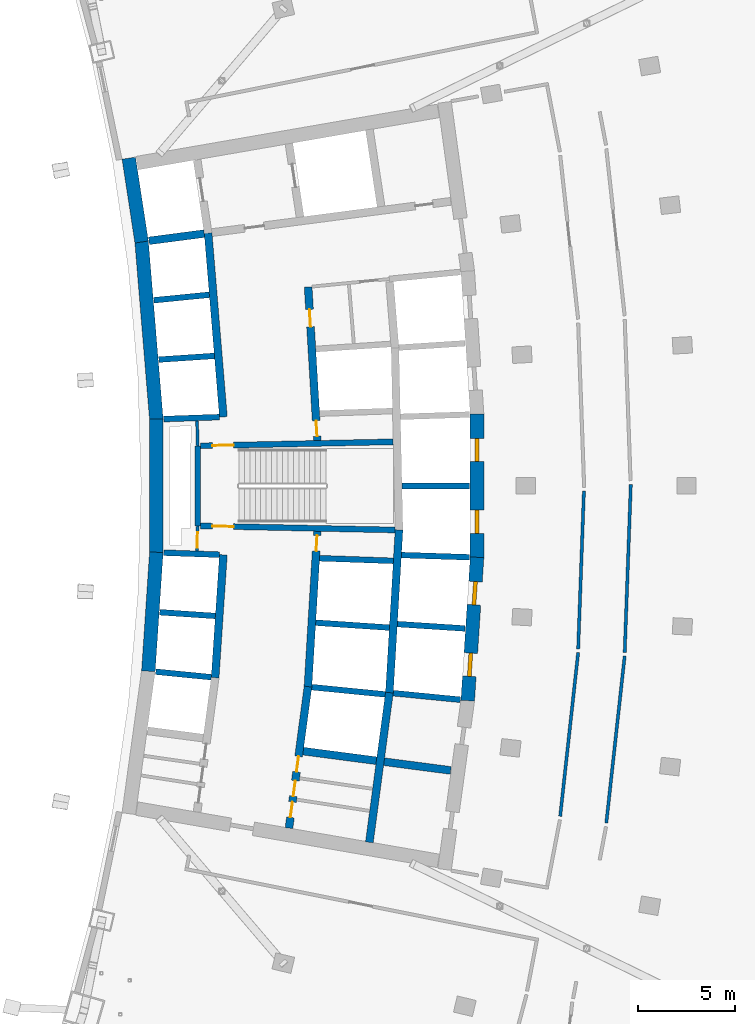
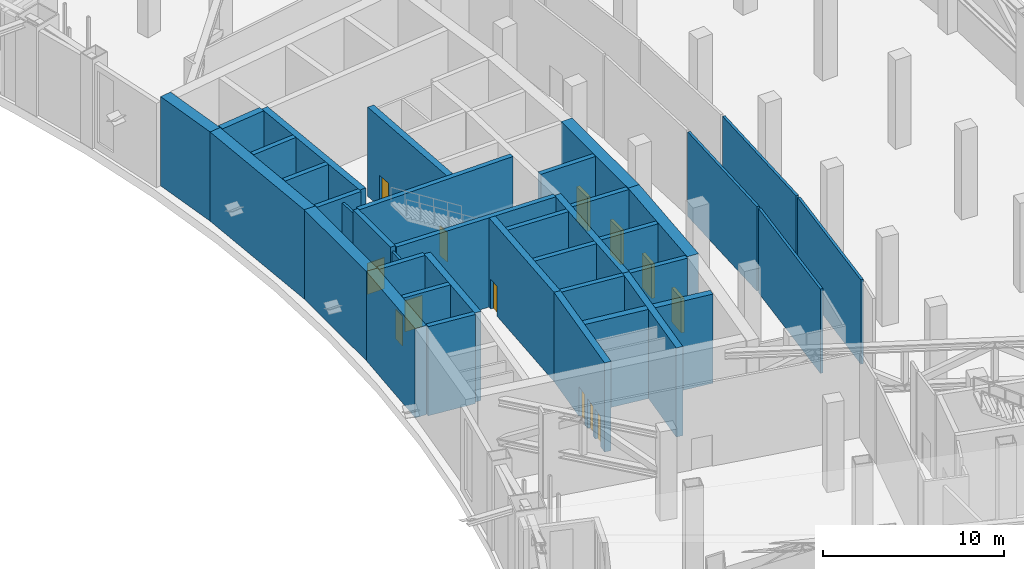
# One storey, part 17 of 26: 38 walls, 13 doors, 13 openings.
"""IFC4 building model written with IfcOpenShell, lengths in metres."""

import ifcopenshell
import ifcopenshell.guid

model = None  # the IFC model being written
_history = None  # IfcOwnerHistory: only IFC2X3 demands one
_inside = {}  # id of a spatial element -> (the spatial element, [elements in it])
_under = {}  # id of a project, library or spatial element -> (it, [spatial elements below it])
_declared = {}  # id of a project -> (the project, [libraries it declares])
_typed = {}  # id of a type object -> (the type object, [elements of that type])
_made_of = {}  # id of a material, layer set ... -> (it, [elements and type objects made of it])


def new_model(schema):
    """Start an empty IFC model of exactly this schema.

    Asked for "IFC4X3", IfcOpenShell would pick the latest addendum, in which some entities
    have other attributes; the version numbers below select the first issue.
    IFC2X3 requires an IfcOwnerHistory on every rooted entity: one is made here for all.
    """
    global model, _history
    if schema == "IFC4X3":
        model = ifcopenshell.file(schema_version=(4, 3, 0, 0))
    else:
        model = ifcopenshell.file(schema=schema)
    _inside.clear()
    _under.clear()
    _declared.clear()
    _typed.clear()
    _made_of.clear()
    _history = None
    if model.schema == "IFC2X3":
        org = make("IfcOrganization", Name="unknown")
        user = make(
            "IfcPersonAndOrganization",
            ThePerson=make("IfcPerson", FamilyName="unknown"),
            TheOrganization=org,
        )
        app = make(
            "IfcApplication",
            ApplicationDeveloper=org,
            Version="unknown",
            ApplicationFullName="unknown",
            ApplicationIdentifier="unknown",
        )
        _history = make(
            "IfcOwnerHistory",
            OwningUser=user,
            OwningApplication=app,
            ChangeAction="ADDED",
            CreationDate=0,
        )
    return model


def make(cls, **values):
    """One entity of the class cls with the attributes given. An attribute that is None is left unset."""
    return model.create_entity(
        cls, **{name: value for name, value in values.items() if value is not None}
    )


def rooted(cls, **values):
    """An entity with a GlobalId (a new one), such as an element, a storey or a relation."""
    return make(cls, GlobalId=ifcopenshell.guid.new(), OwnerHistory=_history, **values)


def si_unit(unit_type, name, prefix=None):
    """IfcSIUnit, for example si_unit("LENGTHUNIT", "METRE", prefix="MILLI")."""
    return make("IfcSIUnit", UnitType=unit_type, Prefix=prefix, Name=name)


def assignment(units):
    """IfcUnitAssignment: the units of a project."""
    return None if units is None else make("IfcUnitAssignment", Units=units)


def point(xyz):
    """IfcCartesianPoint."""
    return None if xyz is None else make("IfcCartesianPoint", Coordinates=xyz)


def direction(xyz):
    """IfcDirection."""
    return None if xyz is None else make("IfcDirection", DirectionRatios=xyz)


def frame(location, z_axis=None, x_axis=None):
    """IfcAxis2Placement3D, a coordinate frame: its origin and axes. An axis left out is left unset."""
    return make(
        "IfcAxis2Placement3D",
        Location=point(location),
        Axis=direction(z_axis),
        RefDirection=direction(x_axis),
    )


def frame_2d(location, x_axis=None):
    """IfcAxis2Placement2D, a coordinate frame in the plane: its origin and x axis."""
    return make(
        "IfcAxis2Placement2D", Location=point(location), RefDirection=direction(x_axis)
    )


def origin():
    """The frame at (0, 0, 0) with its axes left unset."""
    return frame((0.0, 0.0, 0.0))


def place(relative_to, where):
    """IfcLocalPlacement: puts the frame where relative to a parent placement (None: the world)."""
    return make(
        "IfcLocalPlacement", PlacementRelTo=relative_to, RelativePlacement=where
    )


def context(
    kind, dimensions, precision=None, world=None, true_north=None, identifier=None
):
    """IfcGeometricRepresentationContext, for example the 3D "Model" context."""
    return make(
        "IfcGeometricRepresentationContext",
        ContextIdentifier=identifier,
        ContextType=kind,
        CoordinateSpaceDimension=dimensions,
        Precision=precision,
        WorldCoordinateSystem=world,
        TrueNorth=true_north,
    )


def subcontext(parent, identifier, kind, view, scale=None):
    """IfcGeometricRepresentationSubContext, for example "Body" below "Model"."""
    return make(
        "IfcGeometricRepresentationSubContext",
        ContextIdentifier=identifier,
        ContextType=kind,
        ParentContext=parent,
        TargetScale=scale,
        TargetView=view,
    )


def project(units=None, contexts=None):
    """IfcProject with its units and contexts."""
    return rooted(
        "IfcProject",
        Name="project",
        RepresentationContexts=contexts,
        UnitsInContext=assignment(units),
    )


def spatial(cls, under=None, at=None, **own):
    """A site, building, storey or space (cls), placed at a placement, below another one or the project."""
    s = rooted(cls, ObjectPlacement=at, **own)
    if under is not None:
        _under.setdefault(under.id(), (under, []))[1].append(s)
    return s


def profile(cls, at=None, kind="AREA", **sizes):
    """A parametric profile (cls). Its sizes go by their IFC names, for example OverallWidth=200.0."""
    return make(cls, ProfileType=kind, Position=at, **sizes)


def rectangle(**sizes):
    """IfcRectangleProfileDef."""
    return profile("IfcRectangleProfileDef", **sizes)


def extrude(swept, where, along, depth):
    """IfcExtrudedAreaSolid: the profile swept, set in the frame where, extruded along a direction by depth."""
    return make(
        "IfcExtrudedAreaSolid",
        SweptArea=swept,
        Position=where,
        ExtrudedDirection=direction(along),
        Depth=depth,
    )


def shape(context_of_items, identifier, shape_type, items):
    """IfcShapeRepresentation: the items that make up one representation, for example the "Body"."""
    return make(
        "IfcShapeRepresentation",
        ContextOfItems=context_of_items,
        RepresentationIdentifier=identifier,
        RepresentationType=shape_type,
        Items=items,
    )


def material(Name=None, Category=None):
    """IfcMaterial."""
    return make("IfcMaterial", Name=Name, Category=Category)


def layer(
    of_material, thickness, ventilated=None, Name=None, Category=None, Priority=None
):
    """IfcMaterialLayer: one layer of a wall or slab, of a material (None: an air gap)."""
    return make(
        "IfcMaterialLayer",
        Material=of_material,
        LayerThickness=thickness,
        IsVentilated=ventilated,
        Name=Name,
        Category=Category,
        Priority=Priority,
    )


def layer_set(layers, Name=None):
    """IfcMaterialLayerSet."""
    return make("IfcMaterialLayerSet", MaterialLayers=layers, LayerSetName=Name)


def made_of(thing, what):
    """Note that an element or type object is made of a material, layer set ...; save() writes the relation."""
    if what is not None:
        _made_of.setdefault(what.id(), (what, []))[1].append(thing)
    return thing


def type_object(cls, material=None, **own):
    """A type object (cls), such as IfcWallType, which elements share."""
    return made_of(rooted(cls, **own), material)


def element(
    cls,
    number,
    at=None,
    inside=None,
    cuts=None,
    type_object=None,
    material=None,
    context=None,
    identifier="Body",
    shape_type=None,
    held_by="IfcProductDefinitionShape",
    body=None,
    shapes=None,
    **own,
):
    """One element of the class cls, such as IfcWall. Its Tag is "e" and its number.

    at: its placement. inside: the storey or other place that contains it. cuts: it is an
    opening in that element (IfcRelVoidsElement). A single representation is given by context,
    identifier, shape_type and body (its items); several are given by shapes. held_by: the class
    of the entity that holds the representations. save() writes the other relations.
    """
    e = rooted(cls, Tag="e%d" % number, ObjectPlacement=at, **own)
    if body is not None:
        shapes = [shape(context, identifier, shape_type, body)]
    if shapes is not None:
        e.Representation = make(held_by, Representations=shapes)
    if inside is not None:
        _inside.setdefault(inside.id(), (inside, []))[1].append(e)
    if cuts is not None:
        rooted(
            "IfcRelVoidsElement", RelatingBuildingElement=cuts, RelatedOpeningElement=e
        )
    if type_object is not None:
        _typed.setdefault(type_object.id(), (type_object, []))[1].append(e)
    return made_of(e, material)


def fill(opening, filler):
    """IfcRelFillsElement: the door or window that sits in an opening."""
    return rooted(
        "IfcRelFillsElement",
        RelatingOpeningElement=opening,
        RelatedBuildingElement=filler,
    )


def aggregate(whole, parts):
    """IfcRelAggregates: a whole, such as a stair, and the parts it consists of."""
    return rooted("IfcRelAggregates", RelatingObject=whole, RelatedObjects=parts)


def save(model, path):
    """Write the relations noted so far, then the file.

    IfcRelAggregates (storeys below a building ...), IfcRelContainedInSpatialStructure (elements
    in a storey), IfcRelDefinesByType, IfcRelAssociatesMaterial and IfcRelDeclares: one each for
    every whole, place, type object, material and project.
    """
    for whole, parts in _under.values():
        aggregate(whole, parts)
    for where, things in _inside.values():
        rooted(
            "IfcRelContainedInSpatialStructure",
            RelatedElements=things,
            RelatingStructure=where,
        )
    for kind, things in _typed.values():
        rooted("IfcRelDefinesByType", RelatedObjects=things, RelatingType=kind)
    for what, things in _made_of.values():
        rooted("IfcRelAssociatesMaterial", RelatedObjects=things, RelatingMaterial=what)
    for by, libraries in _declared.values():
        rooted("IfcRelDeclares", RelatingContext=by, RelatedDefinitions=libraries)
    model.write(path)


model = new_model("IFC4")

# Units and contexts
model_context = context("Model", 3, precision=1e-05, world=origin(), true_north=direction((0.0, 1.0)))
body_context = subcontext(model_context, "Body", "Model", "MODEL_VIEW")
ifc_project = project(units=[si_unit("LENGTHUNIT", "METRE"), si_unit("AREAUNIT", "SQUARE_METRE"), si_unit("VOLUMEUNIT", "CUBIC_METRE"), si_unit("PLANEANGLEUNIT", "RADIAN"), si_unit("MASSUNIT", "GRAM", prefix="KILO")], contexts=[model_context])

# Site, building, storey
site_placement = place(None, origin())
site = spatial("IfcSite", under=ifc_project, at=site_placement, CompositionType="ELEMENT")
building_placement = place(site_placement, origin())
building = spatial("IfcBuilding", under=site, at=building_placement, Name="Alderwake Tower", CompositionType="ELEMENT")
storey_placement = place(building_placement, frame((0.0, 0.0, 132.800048828125)))
storey = spatial("IfcBuildingStorey", under=building, at=storey_placement, Name="L32", CompositionType="ELEMENT", Elevation=132.800048828125)

# Wall, opening, door
ifc_material_1 = material(Name="Gypsum shaft wall system, rated")
ifc_layer_1 = layer(ifc_material_1, 0.14990234375)
ifc_layer_set_1 = layer_set([ifc_layer_1], Name="Core room partition 150")
wall_type_1 = type_object("IfcWallType", Name="Core room partition 150", PredefinedType="PARTITIONING", material=ifc_layer_set_1)
wall_1_placement = place(storey_placement, frame((18.918701171875, 58.94384765625, 0.0), z_axis=(0.0, 0.0, 1.0), x_axis=(-0.027348257573, -0.999625966453, 0.0)))
wall_1 = element("IfcWall", 1, at=wall_1_placement, inside=storey, type_object=wall_type_1, Name="CW/L32/PA+24_-37", PredefinedType="PARTITIONING", context=body_context, shape_type="SweptSolid", body=[
    extrude(rectangle(XDim=1.29443359375, YDim=0.14990234375, at=frame_2d((0.647216796875, 0.0))), origin(), (0.0, 0.0, 1.0), 5.679931640625),
])
opening_1_placement = place(wall_1_placement, frame((0.322998046875, 0.0, 0.0)))
opening_1 = element("IfcOpeningElement", 2, at=opening_1_placement, cuts=wall_1, Name="Opening C004", PredefinedType="OPENING", context=body_context, shape_type="SweptSolid", body=[
    extrude(rectangle(XDim=0.800048828125, YDim=2.0, at=frame_2d((0.39990234375, 1.0))), frame((0.0, 0.0849609375, 0.0), z_axis=(0.0, -1.0, 0.0), x_axis=(1.0, 0.0, 0.0)), (0.0, 0.0, 1.0), 0.169921875),
])
ifc_material_2 = material(Name="Painted steel leaf, rated", Category="steel")
door_type_1 = type_object("IfcDoorType", Name="Riser access door 800", OperationType="SINGLE_SWING_LEFT", PredefinedType="DOOR", material=ifc_material_2)
door_1_placement = place(opening_1_placement, origin())
door_1 = element("IfcDoor", 3, at=door_1_placement, inside=storey, type_object=door_type_1, Name="Riser access door", OperationType="SINGLE_SWING_RIGHT", OverallHeight=2.0, OverallWidth=0.800048828125, PredefinedType="DOOR", context=body_context, shape_type="SweptSolid", body=[
    extrude(rectangle(XDim=0.800048828125, YDim=2.0, at=frame_2d((0.39990234375, 1.0))), frame((0.0, 0.02490234375, 0.0), z_axis=(0.0, -1.0, 0.0), x_axis=(1.0, 0.0, 0.0)), (0.0, 0.0, 1.0), 0.050048828125),
])
fill(opening_1, door_1)

# Walls
wall_2_placement = place(storey_placement, frame((18.918701171875, 63.05517578125, 0.0), z_axis=(0.0, 0.0, 1.0), x_axis=(-0.027327648352, 0.999626530078, 0.0)))
element("IfcWall", 4, at=wall_2_placement, inside=storey, type_object=wall_type_1, Name="CW/L32/PA+24_+22", PredefinedType="PARTITIONING", context=body_context, shape_type="SweptSolid", body=[
    extrude(rectangle(XDim=1.29541015625, YDim=0.14990234375, at=frame_2d((0.647705078125, 0.0))), origin(), (0.0, 0.0, 1.0), 5.679931640625),
])
ifc_material_3 = material(Name="Concrete C70/85", Category="concrete")
ifc_layer_2 = layer(ifc_material_3, 0.699951171875)
ifc_layer_set_2 = layer_set([ifc_layer_2], Name="Core wall outer 700 C70-85")
wall_type_2 = type_object("IfcWallType", Name="Core wall outer 700 C70-85", PredefinedType="SHEAR", material=ifc_layer_set_2)
wall_3_placement = place(storey_placement, frame((16.379638671875, 51.46337890625, 0.0), z_axis=(0.0, 0.0, 1.0), x_axis=(0.066917731608, 0.997758496429, 0.0)))
element("IfcWall", 5, at=wall_3_placement, inside=storey, type_object=wall_type_2, Name="Core wall CW.041", PredefinedType="SHEAR", context=body_context, shape_type="SweptSolid", body=[
    extrude(rectangle(XDim=6.136474609375, YDim=0.699951171875, at=frame_2d((3.068359375, 0.0))), origin(), (0.0, 0.0, 1.0), 6.0),
])
wall_4_placement = place(storey_placement, frame((16.789306640625, 57.561767578125, 0.0), z_axis=(0.0, 0.0, 1.0), x_axis=(0.0, 1.0, 0.0)))
element("IfcWall", 6, at=wall_4_placement, inside=storey, type_object=wall_type_2, Name="Core wall CW.043", PredefinedType="SHEAR", context=body_context, shape_type="SweptSolid", body=[
    extrude(rectangle(XDim=6.87939453125, YDim=0.699951171875, at=frame_2d((3.439697265625, 0.0))), origin(), (0.0, 0.0, 1.0), 6.0),
])
wall_5_placement = place(storey_placement, frame((16.79052734375, 64.4111328125, 0.0), z_axis=(0.0, 0.0, 1.0), x_axis=(-0.082616907099, 0.996581379849, 0.0)))
element("IfcWall", 7, at=wall_5_placement, inside=storey, type_object=wall_type_2, Name="Core wall CW.040", PredefinedType="SHEAR", context=body_context, shape_type="SweptSolid", body=[
    extrude(rectangle(XDim=9.193359375, YDim=0.699951171875, at=frame_2d((4.5966796875, 0.0))), origin(), (0.0, 0.0, 1.0), 6.0),
])
wall_6_placement = place(storey_placement, frame((16.033935546875, 73.547607421875, 0.0), z_axis=(0.0, 0.0, 1.0), x_axis=(-0.151897483467, 0.988396253795, 0.0)))
element("IfcWall", 8, at=wall_6_placement, inside=storey, type_object=wall_type_2, Name="Core wall CW.039", PredefinedType="SHEAR", context=body_context, shape_type="SweptSolid", body=[
    extrude(rectangle(XDim=4.365234375, YDim=0.699951171875, at=frame_2d((2.1826171875, 0.0))), origin(), (0.0, 0.0, 1.0), 6.0),
])

# Wall, openings, doors
wall_7_placement = place(storey_placement, frame((32.810302734375, 49.9482421875, 0.0), z_axis=(0.0, 0.0, 1.0), x_axis=(0.065009096017, 0.99788467141, 0.0)))
wall_7 = element("IfcWall", 9, at=wall_7_placement, inside=storey, type_object=wall_type_2, Name="Core wall CW.011", PredefinedType="SHEAR", context=body_context, shape_type="SweptSolid", body=[
    extrude(rectangle(XDim=7.39453125, YDim=0.699951171875, at=frame_2d((3.697265625, 0.0))), origin(), (0.0, 0.0, 1.0), 6.0),
])
opening_2_placement = place(wall_7_placement, frame((1.255126953125, 0.0, 0.0)))
opening_2 = element("IfcOpeningElement", 10, at=opening_2_placement, cuts=wall_7, Name="Opening LD-HP1", PredefinedType="OPENING", context=body_context, shape_type="SweptSolid", body=[
    extrude(rectangle(XDim=1.199951171875, YDim=2.300048828125, at=frame_2d((0.60009765625, 1.14990234375))), frame((0.0, 0.35986328125, 0.0), z_axis=(0.0, -1.0, 0.0), x_axis=(1.0, 0.0, 0.0)), (0.0, 0.0, 1.0), 0.719970703125),
])
opening_3_placement = place(wall_7_placement, frame((4.9404296875, 0.0, 0.0)))
opening_3 = element("IfcOpeningElement", 11, at=opening_3_placement, cuts=wall_7, Name="Opening LD-HP2", PredefinedType="OPENING", context=body_context, shape_type="SweptSolid", body=[
    extrude(rectangle(XDim=1.199951171875, YDim=2.300048828125, at=frame_2d((0.60009765625, 1.14990234375))), frame((0.0, 0.35986328125, 0.0), z_axis=(0.0, -1.0, 0.0), x_axis=(1.0, 0.0, 0.0)), (0.0, 0.0, 1.0), 0.719970703125),
])
ifc_material_4 = material(Name="Stainless steel sliding leaf", Category="steel")
door_type_2 = type_object("IfcDoorType", Name="Lift landing door 1200", OperationType="SLIDING_TO_LEFT", PredefinedType="DOOR", material=ifc_material_4)
door_2_placement = place(opening_2_placement, origin())
door_2 = element("IfcDoor", 12, at=door_2_placement, inside=storey, type_object=door_type_2, Name="Lift landing door HP1", OperationType="SLIDING_TO_LEFT", OverallHeight=2.300048828125, OverallWidth=1.199951171875, PredefinedType="DOOR", context=body_context, shape_type="SweptSolid", body=[
    extrude(rectangle(XDim=1.199951171875, YDim=2.300048828125, at=frame_2d((0.60009765625, 1.14990234375))), frame((0.0, 0.10009765625, 0.0), z_axis=(0.0, -1.0, 0.0), x_axis=(1.0, 0.0, 0.0)), (0.0, 0.0, 1.0), 0.199951171875),
])
fill(opening_2, door_2)
door_3_placement = place(opening_3_placement, origin())
door_3 = element("IfcDoor", 13, at=door_3_placement, inside=storey, type_object=door_type_2, Name="Lift landing door HP2", OperationType="SLIDING_TO_LEFT", OverallHeight=2.300048828125, OverallWidth=1.199951171875, PredefinedType="DOOR", context=body_context, shape_type="SweptSolid", body=[
    extrude(rectangle(XDim=1.199951171875, YDim=2.300048828125, at=frame_2d((0.60009765625, 1.14990234375))), frame((0.0, 0.10009765625, 0.0), z_axis=(0.0, -1.0, 0.0), x_axis=(1.0, 0.0, 0.0)), (0.0, 0.0, 1.0), 0.199951171875),
])
fill(opening_3, door_3)

wall_8_placement = place(storey_placement, frame((33.2900390625, 57.30322265625, 0.0), z_axis=(0.0, 0.0, 1.0), x_axis=(0.0, 1.0, 0.0)))
wall_8 = element("IfcWall", 14, at=wall_8_placement, inside=storey, type_object=wall_type_2, Name="Core wall CW.013", PredefinedType="SHEAR", context=body_context, shape_type="SweptSolid", body=[
    extrude(rectangle(XDim=7.3935546875, YDim=0.699951171875, at=frame_2d((3.69677734375, 0.0))), origin(), (0.0, 0.0, 1.0), 6.0),
])
opening_4_placement = place(wall_8_placement, frame((1.254150390625, 0.0, 0.0)))
opening_4 = element("IfcOpeningElement", 15, at=opening_4_placement, cuts=wall_8, Name="Opening LD-HP3", PredefinedType="OPENING", context=body_context, shape_type="SweptSolid", body=[
    extrude(rectangle(XDim=1.199951171875, YDim=2.300048828125, at=frame_2d((0.60009765625, 1.14990234375))), frame((0.0, 0.35986328125, 0.0), z_axis=(0.0, -1.0, 0.0), x_axis=(1.0, 0.0, 0.0)), (0.0, 0.0, 1.0), 0.719970703125),
])
opening_5_placement = place(wall_8_placement, frame((4.939208984375, 0.0, 0.0)))
opening_5 = element("IfcOpeningElement", 16, at=opening_5_placement, cuts=wall_8, Name="Opening LD-HP4", PredefinedType="OPENING", context=body_context, shape_type="SweptSolid", body=[
    extrude(rectangle(XDim=1.199951171875, YDim=2.300048828125, at=frame_2d((0.60009765625, 1.14990234375))), frame((0.0, 0.35986328125, 0.0), z_axis=(0.0, -1.0, 0.0), x_axis=(1.0, 0.0, 0.0)), (0.0, 0.0, 1.0), 0.719970703125),
])
door_4_placement = place(opening_4_placement, origin())
door_4 = element("IfcDoor", 17, at=door_4_placement, inside=storey, type_object=door_type_2, Name="Lift landing door HP3", OperationType="SLIDING_TO_LEFT", OverallHeight=2.300048828125, OverallWidth=1.199951171875, PredefinedType="DOOR", context=body_context, shape_type="SweptSolid", body=[
    extrude(rectangle(XDim=1.199951171875, YDim=2.300048828125, at=frame_2d((0.60009765625, 1.14990234375))), frame((0.0, 0.10009765625, 0.0), z_axis=(0.0, -1.0, 0.0), x_axis=(1.0, 0.0, 0.0)), (0.0, 0.0, 1.0), 0.199951171875),
])
fill(opening_4, door_4)
door_5_placement = place(opening_5_placement, origin())
door_5 = element("IfcDoor", 18, at=door_5_placement, inside=storey, type_object=door_type_2, Name="Lift landing door HP4", OperationType="SLIDING_TO_LEFT", OverallHeight=2.300048828125, OverallWidth=1.199951171875, PredefinedType="DOOR", context=body_context, shape_type="SweptSolid", body=[
    extrude(rectangle(XDim=1.199951171875, YDim=2.300048828125, at=frame_2d((0.60009765625, 1.14990234375))), frame((0.0, 0.10009765625, 0.0), z_axis=(0.0, -1.0, 0.0), x_axis=(1.0, 0.0, 0.0)), (0.0, 0.0, 1.0), 0.199951171875),
])
fill(opening_5, door_5)

# Walls
ifc_material_5 = material(Name="Concrete C70/85", Category="concrete")
ifc_layer_3 = layer(ifc_material_5, 0.300048828125)
ifc_layer_set_3 = layer_set([ifc_layer_3], Name="Core wall shaft 300 C70-85")
wall_type_3 = type_object("IfcWallType", Name="Core wall shaft 300 C70-85", PredefinedType="SHEAR", material=ifc_layer_set_3)
wall_9_placement = place(storey_placement, frame((16.759033203125, 51.438720703125, 0.0), z_axis=(0.0, 0.0, 1.0), x_axis=(0.995151923206, -0.098349630095, 0.0)))
element("IfcWall", 19, at=wall_9_placement, inside=storey, type_object=wall_type_3, Name="Core wall CW.065", PredefinedType="SHEAR", context=body_context, shape_type="SweptSolid", body=[
    extrude(rectangle(XDim=2.86962890625, YDim=0.300048828125, at=frame_2d((1.434814453125, 0.0))), origin(), (0.0, 0.0, 1.0), 6.0),
])
wall_10_placement = place(storey_placement, frame((24.789794921875, 50.64501953125, 0.0), z_axis=(0.0, 0.0, 1.0), x_axis=(0.995153039802, -0.098338331148, 0.0)))
element("IfcWall", 20, at=wall_10_placement, inside=storey, type_object=wall_type_3, Name="Core wall CW.066", PredefinedType="SHEAR", context=body_context, shape_type="SweptSolid", body=[
    extrude(rectangle(XDim=3.7958984375, YDim=0.300048828125, at=frame_2d((1.89794921875, 0.0))), origin(), (0.0, 0.0, 1.0), 6.0),
])
wall_11_placement = place(storey_placement, frame((28.9794921875, 50.336181640625, 0.0), z_axis=(0.0, 0.0, 1.0), x_axis=(0.995247396058, -0.097378748402, 0.0)))
element("IfcWall", 21, at=wall_11_placement, inside=storey, type_object=wall_type_3, Name="Core wall CW.064", PredefinedType="SHEAR", context=body_context, shape_type="SweptSolid", body=[
    extrude(rectangle(XDim=3.469970703125, YDim=0.300048828125, at=frame_2d((1.73486328125, 0.0))), origin(), (0.0, 0.0, 1.0), 6.0),
])
wall_12_placement = place(storey_placement, frame((16.964111328125, 54.49951171875, 0.0), z_axis=(0.0, 0.0, 1.0), x_axis=(0.997759473015, -0.066903168895, 0.0)))
element("IfcWall", 22, at=wall_12_placement, inside=storey, type_object=wall_type_3, Name="Core wall CW.079", PredefinedType="SHEAR", context=body_context, shape_type="SweptSolid", body=[
    extrude(rectangle(XDim=2.8681640625, YDim=0.300048828125, at=frame_2d((1.43408203125, 0.0))), origin(), (0.0, 0.0, 1.0), 6.0),
])
wall_13_placement = place(storey_placement, frame((24.990234375, 53.96142578125, 0.0), z_axis=(0.0, 0.0, 1.0), x_axis=(0.997761767472, -0.066868941756, 0.0)))
element("IfcWall", 23, at=wall_13_placement, inside=storey, type_object=wall_type_3, Name="Core wall CW.080", PredefinedType="SHEAR", context=body_context, shape_type="SweptSolid", body=[
    extrude(rectangle(XDim=3.797119140625, YDim=0.300048828125, at=frame_2d((1.8984375, 0.0))), origin(), (0.0, 0.0, 1.0), 6.0),
])
wall_14_placement = place(storey_placement, frame((29.190185546875, 53.8896484375, 0.0), z_axis=(0.0, 0.0, 1.0), x_axis=(0.997884352206, -0.065013995596, 0.0)))
element("IfcWall", 24, at=wall_14_placement, inside=storey, type_object=wall_type_3, Name="Core wall CW.078", PredefinedType="SHEAR", context=body_context, shape_type="SweptSolid", body=[
    extrude(rectangle(XDim=3.488525390625, YDim=0.300048828125, at=frame_2d((1.744140625, 0.0))), origin(), (0.0, 0.0, 1.0), 6.0),
])
wall_15_placement = place(storey_placement, frame((17.169189453125, 57.560546875, 0.0), z_axis=(0.0, 0.0, 1.0), x_axis=(0.999373538371, -0.03539111194, 0.0)))
element("IfcWall", 25, at=wall_15_placement, inside=storey, type_object=wall_type_3, Name="Core wall CW.076", PredefinedType="SHEAR", context=body_context, shape_type="SweptSolid", body=[
    extrude(rectangle(XDim=2.86962890625, YDim=0.300048828125, at=frame_2d((1.434814453125, 0.0))), origin(), (0.0, 0.0, 1.0), 6.0),
])
wall_16_placement = place(storey_placement, frame((25.1904296875, 57.276611328125, 0.0), z_axis=(0.0, 0.0, 1.0), x_axis=(0.999373547283, -0.03539086028, 0.0)))
element("IfcWall", 26, at=wall_16_placement, inside=storey, type_object=wall_type_3, Name="Core wall CW.077", PredefinedType="SHEAR", context=body_context, shape_type="SweptSolid", body=[
    extrude(rectangle(XDim=3.794189453125, YDim=0.300048828125, at=frame_2d((1.89697265625, 0.0))), origin(), (0.0, 0.0, 1.0), 6.0),
])
wall_17_placement = place(storey_placement, frame((29.400634765625, 57.441650390625, 0.0), z_axis=(0.0, 0.0, 1.0), x_axis=(0.999472716164, -0.032469826675, 0.0)))
element("IfcWall", 27, at=wall_17_placement, inside=storey, type_object=wall_type_3, Name="Core wall CW.075", PredefinedType="SHEAR", context=body_context, shape_type="SweptSolid", body=[
    extrude(rectangle(XDim=3.511474609375, YDim=0.300048828125, at=frame_2d((1.755859375, 0.0))), origin(), (0.0, 0.0, 1.0), 6.0),
])
wall_18_placement = place(storey_placement, frame((29.426025390625, 61.0, 0.0), z_axis=(0.0, 0.0, 1.0), x_axis=(1.0, 0.0, 0.0)))
element("IfcWall", 28, at=wall_18_placement, inside=storey, type_object=wall_type_3, Name="Core wall CW.048", PredefinedType="SHEAR", context=body_context, shape_type="SweptSolid", body=[
    extrude(rectangle(XDim=3.484130859375, YDim=0.300048828125, at=frame_2d((1.7421875, 0.0))), origin(), (0.0, 0.0, 1.0), 6.0),
])
wall_19_placement = place(storey_placement, frame((17.16943359375, 64.439453125, 0.0), z_axis=(0.0, 0.0, 1.0), x_axis=(0.999373431798, 0.035394121201, 0.0)))
element("IfcWall", 29, at=wall_19_placement, inside=storey, type_object=wall_type_3, Name="Core wall CW.059", PredefinedType="SHEAR", context=body_context, shape_type="SweptSolid", body=[
    extrude(rectangle(XDim=2.869384765625, YDim=0.300048828125, at=frame_2d((1.4345703125, 0.0))), origin(), (0.0, 0.0, 1.0), 6.0),
])
for number, where, z_axis, x_axis, name in (
    (30, (16.916015625, 67.497314453125, 0.0), (0.0, 0.0, 1.0), (0.997762488798, 0.066858177867, 0.0), "Core wall CW.062"),
    (31, (16.662841796875, 70.552001953125, 0.0), (0.0, 0.0, 1.0), (0.995157883569, 0.098289301407, 0.0), "Core wall CW.050"),
):
    element("IfcWall", number, at=place(storey_placement, frame(where, z_axis=z_axis, x_axis=x_axis)), inside=storey, type_object=wall_type_3, Name=name, PredefinedType="SHEAR", context=body_context, shape_type="SweptSolid", body=[
        extrude(rectangle(XDim=2.866455078125, YDim=0.300048828125, at=frame_2d((1.43310546875, 0.0))), origin(), (0.0, 0.0, 1.0), 6.0),
    ])
ifc_material_6 = material(Name="Concrete C70/85", Category="concrete")
ifc_layer_4 = layer(ifc_material_6, 0.39990234375)
ifc_layer_set_4 = layer_set([ifc_layer_4], Name="Core wall spine 400 C70-85")
wall_type_4 = type_object("IfcWallType", Name="Core wall spine 400 C70-85", PredefinedType="SHEAR", material=ifc_layer_set_4)
wall_20_placement = place(storey_placement, frame((19.8134765625, 51.129638671875, 0.0), z_axis=(0.0, 0.0, 1.0), x_axis=(0.066887252767, 0.997760540118, 0.0)))
element("IfcWall", 32, at=wall_20_placement, inside=storey, type_object=wall_type_4, Name="Core wall CW.032", PredefinedType="SHEAR", context=body_context, shape_type="SweptSolid", body=[
    extrude(rectangle(XDim=6.33642578125, YDim=0.39990234375, at=frame_2d((3.168212890625, 0.0))), origin(), (0.0, 0.0, 1.0), 6.0),
])
wall_21_placement = place(storey_placement, frame((20.2373046875, 64.548095703125, 0.0), z_axis=(0.0, 0.0, 1.0), x_axis=(-0.082628585297, 0.996580411654, 0.0)))
element("IfcWall", 33, at=wall_21_placement, inside=storey, type_object=wall_type_4, Name="Core wall CW.031", PredefinedType="SHEAR", context=body_context, shape_type="SweptSolid", body=[
    extrude(rectangle(XDim=9.499267578125, YDim=0.39990234375, at=frame_2d((4.74951171875, 0.0))), origin(), (0.0, 0.0, 1.0), 6.0),
])

# Wall, openings, doors
wall_22_placement = place(storey_placement, frame((23.6142578125, 43.390869140625, 0.0), z_axis=(0.0, 0.0, 1.0), x_axis=(0.133023466616, 0.991112888287, 0.0)))
wall_22 = element("IfcWall", 34, at=wall_22_placement, inside=storey, type_object=wall_type_4, Name="Core wall CW.047", PredefinedType="SHEAR", context=body_context, shape_type="SweptSolid", body=[
    extrude(rectangle(XDim=7.3466796875, YDim=0.39990234375, at=frame_2d((3.67333984375, 0.0))), origin(), (0.0, 0.0, 1.0), 6.0),
])
opening_6_placement = place(wall_22_placement, frame((0.557861328125, 0.0, 0.0)))
opening_6 = element("IfcOpeningElement", 35, at=opening_6_placement, cuts=wall_22, Name="Opening C016", PredefinedType="OPENING", context=body_context, shape_type="SweptSolid", body=[
    extrude(rectangle(XDim=0.800048828125, YDim=2.0, at=frame_2d((0.39990234375, 1.0))), frame((0.0, 0.2099609375, 0.0), z_axis=(0.0, -1.0, 0.0), x_axis=(1.0, 0.0, 0.0)), (0.0, 0.0, 1.0), 0.419921875),
])
opening_7_placement = place(wall_22_placement, frame((1.663330078125, 0.0, 0.0)))
opening_7 = element("IfcOpeningElement", 36, at=opening_7_placement, cuts=wall_22, Name="Opening C018", PredefinedType="OPENING", context=body_context, shape_type="SweptSolid", body=[
    extrude(rectangle(XDim=0.800048828125, YDim=2.0, at=frame_2d((0.39990234375, 1.0))), frame((0.0, 0.2099609375, 0.0), z_axis=(0.0, -1.0, 0.0), x_axis=(1.0, 0.0, 0.0)), (0.0, 0.0, 1.0), 0.419921875),
])
opening_8_placement = place(wall_22_placement, frame((2.91943359375, 0.0, 0.0)))
opening_8 = element("IfcOpeningElement", 37, at=opening_8_placement, cuts=wall_22, Name="Opening C019", PredefinedType="OPENING", context=body_context, shape_type="SweptSolid", body=[
    extrude(rectangle(XDim=0.800048828125, YDim=2.0, at=frame_2d((0.39990234375, 1.0))), frame((0.0, 0.2099609375, 0.0), z_axis=(0.0, -1.0, 0.0), x_axis=(1.0, 0.0, 0.0)), (0.0, 0.0, 1.0), 0.419921875),
])
door_6_placement = place(opening_6_placement, origin())
door_6 = element("IfcDoor", 38, at=door_6_placement, inside=storey, type_object=door_type_1, Name="Riser access door", OperationType="SINGLE_SWING_RIGHT", OverallHeight=2.0, OverallWidth=0.800048828125, PredefinedType="DOOR", context=body_context, shape_type="SweptSolid", body=[
    extrude(rectangle(XDim=0.800048828125, YDim=2.0, at=frame_2d((0.39990234375, 1.0))), frame((0.0, 0.02490234375, 0.0), z_axis=(0.0, -1.0, 0.0), x_axis=(1.0, 0.0, 0.0)), (0.0, 0.0, 1.0), 0.050048828125),
])
fill(opening_6, door_6)
door_7_placement = place(opening_7_placement, origin())
door_7 = element("IfcDoor", 39, at=door_7_placement, inside=storey, type_object=door_type_1, Name="Riser access door", OperationType="SINGLE_SWING_LEFT", OverallHeight=2.0, OverallWidth=0.800048828125, PredefinedType="DOOR", context=body_context, shape_type="SweptSolid", body=[
    extrude(rectangle(XDim=0.800048828125, YDim=2.0, at=frame_2d((0.39990234375, 1.0))), frame((0.0, 0.02490234375, 0.0), z_axis=(0.0, -1.0, 0.0), x_axis=(1.0, 0.0, 0.0)), (0.0, 0.0, 1.0), 0.050048828125),
])
fill(opening_7, door_7)
door_8_placement = place(opening_8_placement, origin())
door_8 = element("IfcDoor", 40, at=door_8_placement, inside=storey, type_object=door_type_1, Name="Riser access door", OperationType="SINGLE_SWING_RIGHT", OverallHeight=2.0, OverallWidth=0.800048828125, PredefinedType="DOOR", context=body_context, shape_type="SweptSolid", body=[
    extrude(rectangle(XDim=0.800048828125, YDim=2.0, at=frame_2d((0.39990234375, 1.0))), frame((0.0, 0.02490234375, 0.0), z_axis=(0.0, -1.0, 0.0), x_axis=(1.0, 0.0, 0.0)), (0.0, 0.0, 1.0), 0.050048828125),
])
fill(opening_8, door_8)

# Wall, opening, door
wall_23_placement = place(storey_placement, frame((24.590087890625, 50.656982421875, 0.0), z_axis=(0.0, 0.0, 1.0), x_axis=(0.060320473855, 0.99817906231, 0.0)))
wall_23 = element("IfcWall", 41, at=wall_23_placement, inside=storey, type_object=wall_type_4, Name="Core wall CW.046", PredefinedType="SHEAR", context=body_context, shape_type="SweptSolid", body=[
    extrude(rectangle(XDim=8.02197265625, YDim=0.39990234375, at=frame_2d((4.010986328125, 0.0))), origin(), (0.0, 0.0, 1.0), 6.0),
])
opening_9_placement = place(wall_23_placement, frame((7.005859375, 0.0, 0.0)))
opening_9 = element("IfcOpeningElement", 42, at=opening_9_placement, cuts=wall_23, Name="Opening C006", PredefinedType="OPENING", context=body_context, shape_type="SweptSolid", body=[
    extrude(rectangle(XDim=0.800048828125, YDim=2.0, at=frame_2d((0.39990234375, 1.0))), frame((0.0, 0.2099609375, 0.0), z_axis=(0.0, -1.0, 0.0), x_axis=(1.0, 0.0, 0.0)), (0.0, 0.0, 1.0), 0.419921875),
])
door_9_placement = place(opening_9_placement, origin())
door_9 = element("IfcDoor", 43, at=door_9_placement, inside=storey, type_object=door_type_1, Name="Riser access door", OperationType="SINGLE_SWING_RIGHT", OverallHeight=2.0, OverallWidth=0.800048828125, PredefinedType="DOOR", context=body_context, shape_type="SweptSolid", body=[
    extrude(rectangle(XDim=0.800048828125, YDim=2.0, at=frame_2d((0.39990234375, 1.0))), frame((0.0, 0.02490234375, 0.0), z_axis=(0.0, -1.0, 0.0), x_axis=(1.0, 0.0, 0.0)), (0.0, 0.0, 1.0), 0.050048828125),
])
fill(opening_9, door_9)

# Wall, openings, doors
wall_24_placement = place(storey_placement, frame((25.073974609375, 63.335693359375, 0.0), z_axis=(0.0, 0.0, 1.0), x_axis=(-0.059848641072, 0.998207463487, 0.0)))
wall_24 = element("IfcWall", 44, at=wall_24_placement, inside=storey, type_object=wall_type_4, Name="Core wall CW.045", PredefinedType="SHEAR", context=body_context, shape_type="SweptSolid", body=[
    extrude(rectangle(XDim=7.913818359375, YDim=0.39990234375, at=frame_2d((3.95703125, 0.0))), origin(), (0.0, 0.0, 1.0), 6.0),
])
opening_10_placement = place(wall_24_placement, frame((0.216064453125, 0.0, 0.0)))
opening_10 = element("IfcOpeningElement", 45, at=opening_10_placement, cuts=wall_24, Name="Opening C005", PredefinedType="OPENING", context=body_context, shape_type="SweptSolid", body=[
    extrude(rectangle(XDim=0.800048828125, YDim=2.0, at=frame_2d((0.39990234375, 1.0))), frame((0.0, 0.2099609375, 0.0), z_axis=(0.0, -1.0, 0.0), x_axis=(1.0, 0.0, 0.0)), (0.0, 0.0, 1.0), 0.419921875),
])
opening_11_placement = place(wall_24_placement, frame((5.856201171875, 0.0, 0.0)))
opening_11 = element("IfcOpeningElement", 46, at=opening_11_placement, cuts=wall_24, Name="Opening C024", PredefinedType="OPENING", context=body_context, shape_type="SweptSolid", body=[
    extrude(rectangle(XDim=0.89990234375, YDim=2.10009765625, at=frame_2d((0.449951171875, 1.050048828125))), frame((0.0, 0.2099609375, 0.0), z_axis=(0.0, -1.0, 0.0), x_axis=(1.0, 0.0, 0.0)), (0.0, 0.0, 1.0), 0.419921875),
])
ifc_material_7 = material(Name="Painted steel leaf", Category="steel")
door_type_3 = type_object("IfcDoorType", Name="Core room door 900", OperationType="SINGLE_SWING_LEFT", PredefinedType="DOOR", material=ifc_material_7)
door_10_placement = place(opening_11_placement, origin())
door_10 = element("IfcDoor", 47, at=door_10_placement, inside=storey, type_object=door_type_3, Name="Room door", OperationType="SINGLE_SWING_LEFT", OverallHeight=2.10009765625, OverallWidth=0.89990234375, PredefinedType="DOOR", context=body_context, shape_type="SweptSolid", body=[
    extrude(rectangle(XDim=0.89990234375, YDim=2.10009765625, at=frame_2d((0.449951171875, 1.050048828125))), frame((0.0, 0.02490234375, 0.0), z_axis=(0.0, -1.0, 0.0), x_axis=(1.0, 0.0, 0.0)), (0.0, 0.0, 1.0), 0.050048828125),
])
fill(opening_11, door_10)
door_11_placement = place(opening_10_placement, origin())
door_11 = element("IfcDoor", 48, at=door_11_placement, inside=storey, type_object=door_type_1, Name="Riser access door", OperationType="SINGLE_SWING_LEFT", OverallHeight=2.0, OverallWidth=0.800048828125, PredefinedType="DOOR", context=body_context, shape_type="SweptSolid", body=[
    extrude(rectangle(XDim=0.800048828125, YDim=2.0, at=frame_2d((0.39990234375, 1.0))), frame((0.0, 0.02490234375, 0.0), z_axis=(0.0, -1.0, 0.0), x_axis=(1.0, 0.0, 0.0)), (0.0, 0.0, 1.0), 0.050048828125),
])
fill(opening_10, door_11)

# Walls
wall_25_placement = place(storey_placement, frame((27.750244140625, 42.65966796875, 0.0), z_axis=(0.0, 0.0, 1.0), x_axis=(0.132678066825, 0.991159185289, 0.0)))
element("IfcWall", 49, at=wall_25_placement, inside=storey, type_object=wall_type_4, Name="Core wall CW.006", PredefinedType="SHEAR", context=body_context, shape_type="SweptSolid", body=[
    extrude(rectangle(XDim=7.7724609375, YDim=0.39990234375, at=frame_2d((3.88623046875, 0.0))), origin(), (0.0, 0.0, 1.0), 6.0),
])
wall_26_placement = place(storey_placement, frame((28.780029296875, 50.347900390625, 0.0), z_axis=(0.0, 0.0, 1.0), x_axis=(0.059130817733, 0.998250242371, 0.0)))
element("IfcWall", 50, at=wall_26_placement, inside=storey, type_object=wall_type_4, Name="Core wall CW.004", PredefinedType="SHEAR", context=body_context, shape_type="SweptSolid", body=[
    extrude(rectangle(XDim=8.402099609375, YDim=0.39990234375, at=frame_2d((4.201171875, 0.0))), origin(), (0.0, 0.0, 1.0), 6.0),
])
wall_27_placement = place(storey_placement, frame((24.347900390625, 47.35205078125, 0.0), z_axis=(0.0, 0.0, 1.0), x_axis=(0.991552989286, -0.12970223374, 0.0)))
element("IfcWall", 51, at=wall_27_placement, inside=storey, type_object=wall_type_4, Name="Core wall CW.069", PredefinedType="SHEAR", context=body_context, shape_type="SweptSolid", body=[
    extrude(rectangle(XDim=3.794677734375, YDim=0.39990234375, at=frame_2d((1.8974609375, 0.0))), origin(), (0.0, 0.0, 1.0), 6.0),
])
wall_28_placement = place(storey_placement, frame((28.50732421875, 46.80810546875, 0.0), z_axis=(0.0, 0.0, 1.0), x_axis=(0.991551885647, -0.129710670613, 0.0)))
element("IfcWall", 52, at=wall_28_placement, inside=storey, type_object=wall_type_4, Name="Core wall CW.068", PredefinedType="SHEAR", context=body_context, shape_type="SweptSolid", body=[
    extrude(rectangle(XDim=3.455810546875, YDim=0.39990234375, at=frame_2d((1.72802734375, 0.0))), origin(), (0.0, 0.0, 1.0), 6.0),
])
wall_29_placement = place(storey_placement, frame((16.4091796875, 73.609619140625, 0.0), z_axis=(0.0, 0.0, 1.0), x_axis=(0.991557657486, 0.129666541102, 0.0)))
element("IfcWall", 53, at=wall_29_placement, inside=storey, type_object=wall_type_4, Name="Core wall CW.051", PredefinedType="SHEAR", context=body_context, shape_type="SweptSolid", body=[
    extrude(rectangle(XDim=2.869384765625, YDim=0.39990234375, at=frame_2d((1.4345703125, 0.0))), origin(), (0.0, 0.0, 1.0), 6.0),
])
ifc_material_8 = material(Name="Concrete C70/85", Category="concrete")
ifc_layer_5 = layer(ifc_material_8, 0.300048828125)
ifc_layer_set_5 = layer_set([ifc_layer_5], Name="Core wall stair enclosure 300 C70-85")
wall_type_5 = type_object("IfcWallType", Name="Core wall stair enclosure 300 C70-85", PredefinedType="SHEAR", material=ifc_layer_set_5)
wall_30_placement = place(storey_placement, frame((18.918701171875, 58.94091796875, 0.0), z_axis=(0.0, 0.0, 1.0), x_axis=(0.0, 1.0, 0.0)))
element("IfcWall", 54, at=wall_30_placement, inside=storey, type_object=wall_type_5, Name="Core wall CW.024", PredefinedType="SHEAR", context=body_context, shape_type="SweptSolid", body=[
    extrude(rectangle(XDim=4.119384765625, YDim=0.300048828125, at=frame_2d((2.0595703125, 0.0))), origin(), (0.0, 0.0, 1.0), 6.0),
])

# Wall, opening, door
wall_31_placement = place(storey_placement, frame((29.076416015625, 58.73095703125, 0.0), z_axis=(0.0, 0.0, 1.0), x_axis=(-0.99978356433, 0.020804434533, 0.0)))
wall_31 = element("IfcWall", 55, at=wall_31_placement, inside=storey, type_object=wall_type_5, Name="Core wall CW.074", PredefinedType="SHEAR", context=body_context, shape_type="SweptSolid", body=[
    extrude(rectangle(XDim=10.010009765625, YDim=0.300048828125, at=frame_2d((5.0048828125, 0.0))), origin(), (0.0, 0.0, 1.0), 6.0),
])
opening_12_placement = place(wall_31_placement, frame((8.309814453125, 0.0, 0.0)))
opening_12 = element("IfcOpeningElement", 56, at=opening_12_placement, cuts=wall_31, Name="Opening C063", PredefinedType="OPENING", context=body_context, shape_type="SweptSolid", body=[
    extrude(rectangle(XDim=1.10009765625, YDim=2.10009765625, at=frame_2d((0.550048828125, 1.050048828125))), frame((0.0, 0.159912109375, 0.0), z_axis=(0.0, -1.0, 0.0), x_axis=(1.0, 0.0, 0.0)), (0.0, 0.0, 1.0), 0.320068359375),
])
ifc_material_9 = material(Name="Steel-framed fire door leaf", Category="steel")
door_type_4 = type_object("IfcDoorType", Name="Core stair door 1100 fire-rated", OperationType="SINGLE_SWING_LEFT", PredefinedType="DOOR", material=ifc_material_9)
door_12_placement = place(opening_12_placement, origin())
door_12 = element("IfcDoor", 57, at=door_12_placement, inside=storey, type_object=door_type_4, Name="Stair door", OperationType="SINGLE_SWING_LEFT", OverallHeight=2.10009765625, OverallWidth=1.10009765625, PredefinedType="DOOR", context=body_context, shape_type="SweptSolid", body=[
    extrude(rectangle(XDim=1.10009765625, YDim=2.10009765625, at=frame_2d((0.550048828125, 1.050048828125))), frame((0.0, 0.02490234375, 0.0), z_axis=(0.0, -1.0, 0.0), x_axis=(1.0, 0.0, 0.0)), (0.0, 0.0, 1.0), 0.050048828125),
])
fill(opening_12, door_12)

wall_32_placement = place(storey_placement, frame((19.068603515625, 63.060791015625, 0.0), z_axis=(0.0, 0.0, 1.0), x_axis=(0.999783782948, 0.020793925895, 0.0)))
wall_32 = element("IfcWall", 58, at=wall_32_placement, inside=storey, type_object=wall_type_5, Name="Core wall CW.057", PredefinedType="SHEAR", context=body_context, shape_type="SweptSolid", body=[
    extrude(rectangle(XDim=9.909423828125, YDim=0.300048828125, at=frame_2d((4.95458984375, 0.0))), origin(), (0.0, 0.0, 1.0), 6.0),
])
opening_13_placement = place(wall_32_placement, frame((0.60009765625, 0.0, 0.0)))
opening_13 = element("IfcOpeningElement", 59, at=opening_13_placement, cuts=wall_32, Name="Opening C064", PredefinedType="OPENING", context=body_context, shape_type="SweptSolid", body=[
    extrude(rectangle(XDim=1.10009765625, YDim=2.10009765625, at=frame_2d((0.550048828125, 1.050048828125))), frame((0.0, 0.159912109375, 0.0), z_axis=(0.0, -1.0, 0.0), x_axis=(1.0, 0.0, 0.0)), (0.0, 0.0, 1.0), 0.320068359375),
])
door_13_placement = place(opening_13_placement, origin())
door_13 = element("IfcDoor", 60, at=door_13_placement, inside=storey, type_object=door_type_4, Name="Stair door", OperationType="SINGLE_SWING_RIGHT", OverallHeight=2.10009765625, OverallWidth=1.10009765625, PredefinedType="DOOR", context=body_context, shape_type="SweptSolid", body=[
    extrude(rectangle(XDim=1.10009765625, YDim=2.10009765625, at=frame_2d((0.550048828125, 1.050048828125))), frame((0.0, 0.02490234375, 0.0), z_axis=(0.0, -1.0, 0.0), x_axis=(1.0, 0.0, 0.0)), (0.0, 0.0, 1.0), 0.050048828125),
])
fill(opening_13, door_13)

# Walls
ifc_material_10 = material(Name="Gypsum board on metal studs, rated")
ifc_layer_6 = layer(ifc_material_10, 0.159912109375)
ifc_layer_set_6 = layer_set([ifc_layer_6], Name="Corridor wall 160")
wall_type_6 = type_object("IfcWallType", Name="Corridor wall 160", PredefinedType="PARTITIONING", material=ifc_layer_set_6)
wall_33_placement = place(storey_placement, frame((38.49267578125, 52.423583984375, 0.0), z_axis=(0.0, 0.0, 1.0), x_axis=(-0.109131485826, -0.994027322965, 0.0)))
element("IfcWall", 61, at=wall_33_placement, inside=storey, type_object=wall_type_6, Name="WL/L32/W33", PredefinedType="PARTITIONING", context=body_context, shape_type="SweptSolid", body=[
    extrude(rectangle(XDim=8.471923828125, YDim=0.159912109375, at=frame_2d((4.23583984375, 0.0))), origin(), (0.0, 0.0, 1.0), 5.679931640625),
])
wall_34_placement = place(storey_placement, frame((38.789306640625, 60.732421875, 0.0), z_axis=(0.0, 0.0, 1.0), x_axis=(-0.036378345678, -0.99933808892, 0.0)))
element("IfcWall", 62, at=wall_34_placement, inside=storey, type_object=wall_type_6, Name="WL/L32/W35", PredefinedType="PARTITIONING", context=body_context, shape_type="SweptSolid", body=[
    extrude(rectangle(XDim=8.127197265625, YDim=0.159912109375, at=frame_2d((4.0634765625, 0.0))), origin(), (0.0, 0.0, 1.0), 5.679931640625),
])
wall_35_placement = place(storey_placement, frame((39.941162109375, 43.654052734375, 0.0), z_axis=(0.0, 0.0, 1.0), x_axis=(0.109346895136, 0.994003650156, 0.0)))
element("IfcWall", 63, at=wall_35_placement, inside=storey, type_object=wall_type_6, Name="WL/L32/W37", PredefinedType="PARTITIONING", context=body_context, shape_type="SweptSolid", body=[
    extrude(rectangle(XDim=8.647216796875, YDim=0.159912109375, at=frame_2d((4.32373046875, 0.0))), origin(), (0.0, 0.0, 1.0), 5.679931640625),
])
wall_36_placement = place(storey_placement, frame((40.8876953125, 52.4365234375, 0.0), z_axis=(0.0, 0.0, 1.0), x_axis=(0.036332954199, 0.999339740248, 0.0)))
element("IfcWall", 64, at=wall_36_placement, inside=storey, type_object=wall_type_6, Name="WL/L32/W39", PredefinedType="PARTITIONING", context=body_context, shape_type="SweptSolid", body=[
    extrude(rectangle(XDim=8.64794921875, YDim=0.159912109375, at=frame_2d((4.323974609375, 0.0))), origin(), (0.0, 0.0, 1.0), 5.679931640625),
])

save(model, "model.ifc")
